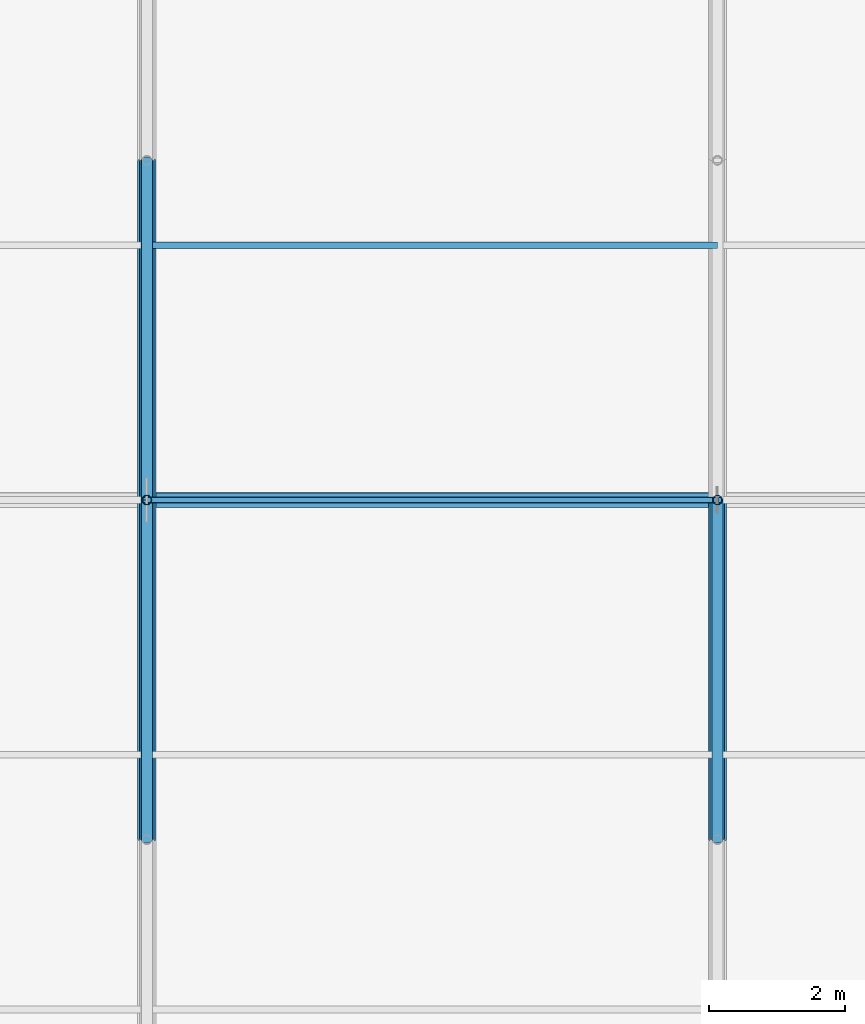
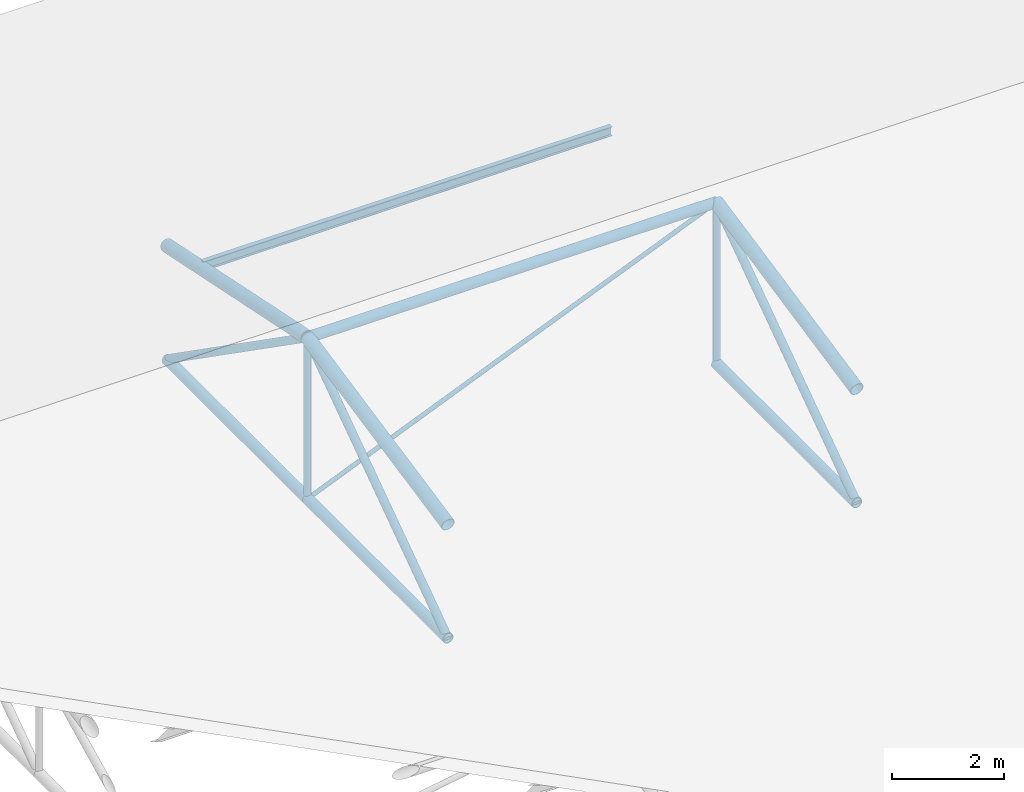
# One storey, part 93 of 194: 13 members, 1 beam.
"""IFC4 building model written with IfcOpenShell, lengths in metres."""

from ifc_helpers import new_model, si_unit, direction, frame, origin, origin_2d, place, context, subcontext, project, spatial, hollow_circle, i_section, extrude, material, material_profile, profile_set, type_object, element, save


model = new_model("IFC4")

# Units and contexts
model_context = context("Model", 3, precision=1e-05, world=origin(), true_north=direction((0.0, 1.0)))
body_context = subcontext(model_context, "Body", "Model", "MODEL_VIEW")
ifc_project = project(units=[si_unit("LENGTHUNIT", "METRE"), si_unit("AREAUNIT", "SQUARE_METRE"), si_unit("VOLUMEUNIT", "CUBIC_METRE"), si_unit("PLANEANGLEUNIT", "RADIAN"), si_unit("MASSUNIT", "GRAM", prefix="KILO")], contexts=[model_context])

# Site, building, storey
site_placement = place(None, origin())
site = spatial("IfcSite", under=ifc_project, at=site_placement, CompositionType="ELEMENT")
building_placement = place(site_placement, origin())
building = spatial("IfcBuilding", under=site, at=building_placement, Name="Kazenagashi Tramway Depot", CompositionType="ELEMENT")
storey_placement = place(building_placement, frame((0.0, 0.0, 23.7)))
storey = spatial("IfcBuildingStorey", under=building, at=storey_placement, Name="ROOF", CompositionType="ELEMENT", Elevation=23.7)

# Beam
ifc_material_1 = material(Name="Steel SN400B", Category="steel")
ifc_material_profile_1 = material_profile(ifc_material_1, i_section(OverallWidth=0.1, OverallDepth=0.2, WebThickness=0.0055, FlangeThickness=0.008, at=origin_2d()), Name="H-200x100x5.5x8")
ifc_profile_set_1 = profile_set([ifc_material_profile_1], Name="Steel SN400B")
beam_type = type_object("IfcBeamType", Name="PR-01", PredefinedType="USERDEFINED", material=ifc_profile_set_1)
beam_placement = place(storey_placement, frame((128.8, 118.75, -11.305), z_axis=(1.0, 0.0, 0.0), x_axis=(0.0, 1.0, 0.0)))
element("IfcBeam", 1, at=beam_placement, inside=storey, type_object=beam_type, Name="Beam PR-01 BM-2190", ObjectType="PURLIN", PredefinedType="USERDEFINED", context=body_context, shape_type="SweptSolid", body=[
    extrude(i_section(OverallWidth=0.1, OverallDepth=0.2, WebThickness=0.0055, FlangeThickness=0.008, at=origin_2d()), origin(), (0.0, 0.0, 1.0), 8.4),
])

# Members
ifc_material_2 = material(Name="Steel STK490", Category="steel")
ifc_material_profile_2 = material_profile(ifc_material_2, hollow_circle(Radius=0.1337, WallThickness=0.0093, at=origin_2d()), Name="CHS-267.4x9.3")
ifc_profile_set_2 = profile_set([ifc_material_profile_2], Name="Steel STK490")
member_type_1 = type_object("IfcMemberType", Name="TC-01", PredefinedType="CHORD", material=ifc_profile_set_2)
for number, where, z_axis, x_axis, name in (
    (2, (128.8, 110.0, -11.633), (0.0, 0.979317999984, 0.202327098797), (-1.0, 0.0, 0.0), "Tubular Space Frame TC-01 MEM-0648"),
    (3, (128.8, 115.0, -10.6), (0.0, 0.979317999984, -0.202327098797), (-1.0, 0.0, 0.0), "Tubular Space Frame TC-01 MEM-0651"),
    (4, (137.2, 110.0, -11.633), (0.0, 0.979317999984, 0.202327098797), (-1.0, 0.0, 0.0), "Tubular Space Frame TC-01 MEM-0709"),
):
    element("IfcMember", number, at=place(storey_placement, frame(where, z_axis=z_axis, x_axis=x_axis)), inside=storey, type_object=member_type_1, Name=name, PredefinedType="CHORD", context=body_context, shape_type="SweptSolid", body=[
        extrude(hollow_circle(Radius=0.1337, WallThickness=0.0093, at=origin_2d()), origin(), (0.0, 0.0, 1.0), 5.105594),
    ])
ifc_material_profile_3 = material_profile(ifc_material_2, hollow_circle(Radius=0.10815, WallThickness=0.0082, at=origin_2d()), Name="CHS-216.3x8.2")
ifc_profile_set_3 = profile_set([ifc_material_profile_3], Name="Steel STK490")
member_type_2 = type_object("IfcMemberType", Name="TC-02", PredefinedType="CHORD", material=ifc_profile_set_3)
for number, where, z_axis, x_axis, name in (
    (5, (128.8, 110.0, -14.1), (0.0, 1.0, 0.0), (-1.0, 0.0, 0.0), "Tubular Space Frame TC-02 MEM-0649"),
    (6, (128.8, 115.0, -14.1), (0.0, 1.0, 0.0), (-1.0, 0.0, 0.0), "Tubular Space Frame TC-02 MEM-0652"),
):
    element("IfcMember", number, at=place(storey_placement, frame(where, z_axis=z_axis, x_axis=x_axis)), inside=storey, type_object=member_type_2, Name=name, PredefinedType="CHORD", context=body_context, shape_type="SweptSolid", body=[
        extrude(hollow_circle(Radius=0.10815, WallThickness=0.0082, at=origin_2d()), origin(), (0.0, 0.0, 1.0), 5.0),
    ])
member_1_placement = place(storey_placement, frame((128.8, 115.0, -10.6), z_axis=(1.0, 0.0, 0.0), x_axis=(0.0, 1.0, 0.0)))
element("IfcMember", 7, at=member_1_placement, inside=storey, type_object=member_type_2, Name="Tubular Space Frame TC-02 MEM-0668", PredefinedType="CHORD", context=body_context, shape_type="SweptSolid", body=[
    extrude(hollow_circle(Radius=0.10815, WallThickness=0.0082, at=origin_2d()), origin(), (0.0, 0.0, 1.0), 8.4),
])
member_2_placement = place(storey_placement, frame((137.2, 110.0, -14.1), z_axis=(0.0, 1.0, 0.0), x_axis=(-1.0, 0.0, 0.0)))
element("IfcMember", 8, at=member_2_placement, inside=storey, type_object=member_type_2, Name="Tubular Space Frame TC-02 MEM-0710", PredefinedType="CHORD", context=body_context, shape_type="SweptSolid", body=[
    extrude(hollow_circle(Radius=0.10815, WallThickness=0.0082, at=origin_2d()), origin(), (0.0, 0.0, 1.0), 5.0),
])
ifc_material_profile_4 = material_profile(ifc_material_2, hollow_circle(Radius=0.0826, WallThickness=0.0071, at=origin_2d()), Name="CHS-165.2x7.1")
ifc_profile_set_4 = profile_set([ifc_material_profile_4], Name="Steel STK490")
member_type_3 = type_object("IfcMemberType", Name="TS-01", PredefinedType="STRUT", material=ifc_profile_set_4)
for number, where, z_axis, x_axis, name in (
    (9, (128.8, 110.0, -14.1), (0.0, 0.819231920519, 0.573462344363), (-1.0, 0.0, 0.0), "Tubular Space Frame TS-01 MEM-0650"),
    (10, (128.8, 115.0, -10.6), (0.0, 0.819231920519, -0.573462344363), (-1.0, 0.0, 0.0), "Tubular Space Frame TS-01 MEM-0653"),
    (11, (137.2, 110.0, -14.1), (0.0, 0.819231920519, 0.573462344363), (-1.0, 0.0, 0.0), "Tubular Space Frame TS-01 MEM-0711"),
):
    element("IfcMember", number, at=place(storey_placement, frame(where, z_axis=z_axis, x_axis=x_axis)), inside=storey, type_object=member_type_3, Name=name, PredefinedType="STRUT", context=body_context, shape_type="SweptSolid", body=[
        extrude(hollow_circle(Radius=0.0826, WallThickness=0.0071, at=origin_2d()), origin(), (0.0, 0.0, 1.0), 6.103278),
    ])
ifc_material_profile_5 = material_profile(ifc_material_2, hollow_circle(Radius=0.0699, WallThickness=0.0066, at=origin_2d()), Name="CHS-139.8x6.6")
ifc_profile_set_5 = profile_set([ifc_material_profile_5], Name="Steel STK490")
member_type_4 = type_object("IfcMemberType", Name="TS-02", PredefinedType="STRUT", material=ifc_profile_set_5)
for number, where, z_axis, x_axis, name in (
    (12, (128.8, 115.0, -14.1), (0.0, 0.0, 1.0), (1.0, 0.0, 0.0), "Tubular Space Frame TS-02 MEM-0662"),
    (13, (137.2, 115.0, -14.1), (0.0, 0.0, 1.0), (1.0, 0.0, 0.0), "Tubular Space Frame TS-02 MEM-0723"),
):
    element("IfcMember", number, at=place(storey_placement, frame(where, z_axis=z_axis, x_axis=x_axis)), inside=storey, type_object=member_type_4, Name=name, PredefinedType="STRUT", context=body_context, shape_type="SweptSolid", body=[
        extrude(hollow_circle(Radius=0.0699, WallThickness=0.0066, at=origin_2d()), origin(), (0.0, 0.0, 1.0), 3.5),
    ])
ifc_material_3 = material(Name="Steel STK400", Category="steel")
ifc_material_profile_6 = material_profile(ifc_material_3, hollow_circle(Radius=0.04455, WallThickness=0.0042, at=origin_2d()), Name="CHS-89.1x4.2")
ifc_profile_set_6 = profile_set([ifc_material_profile_6], Name="Steel STK400")
member_type_5 = type_object("IfcMemberType", Name="TS-04", PredefinedType="STRUT", material=ifc_profile_set_6)
member_3_placement = place(storey_placement, frame((128.8, 115.0, -14.1), z_axis=(0.923076923077, 0.0, 0.384615384615), x_axis=(0.0, 1.0, 0.0)))
element("IfcMember", 14, at=member_3_placement, inside=storey, type_object=member_type_5, Name="Tubular Space Frame TS-04 MEM-0669", PredefinedType="STRUT", context=body_context, shape_type="SweptSolid", body=[
    extrude(hollow_circle(Radius=0.04455, WallThickness=0.0042, at=origin_2d()), origin(), (0.0, 0.0, 1.0), 9.1),
])

save(model, "model.ifc")
